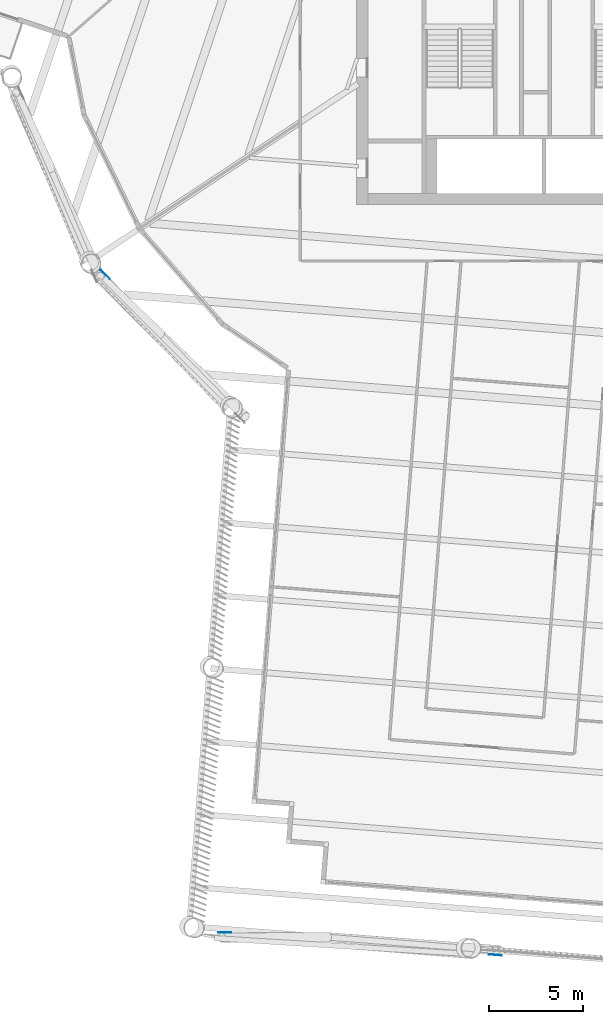
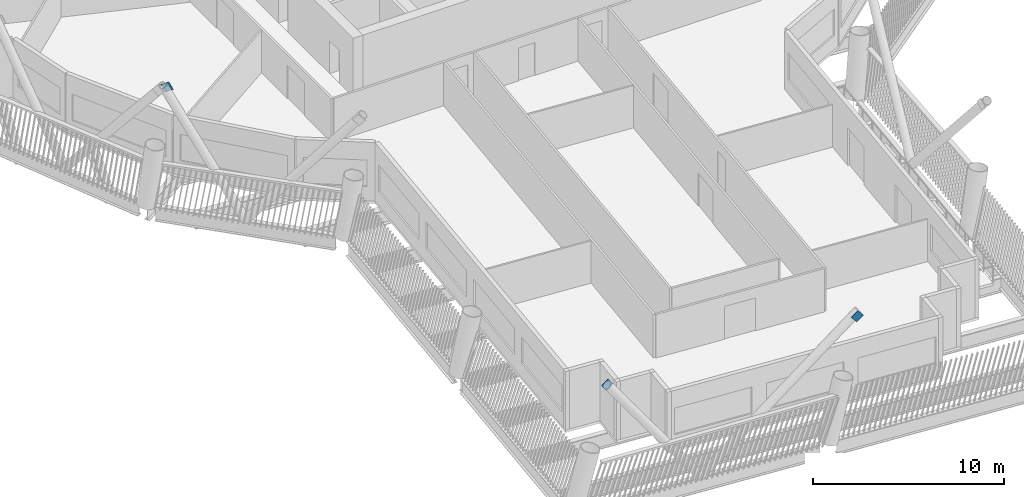
# One storey, part 10 of 21: 3 discrete accessories.
"""IFC4 building model written with IfcOpenShell, lengths in metres."""

from ifc_helpers import new_model, si_unit, direction, frame, origin, origin_2d, place, context, subcontext, project, spatial, rectangle, extrude, material, material_profile, profile_set, type_object, element, save


model = new_model("IFC4")

# Units and contexts
model_context = context("Model", 3, precision=1e-05, world=origin(), true_north=direction((0.0, 1.0)))
body_context = subcontext(model_context, "Body", "Model", "MODEL_VIEW")
ifc_project = project(units=[si_unit("LENGTHUNIT", "METRE"), si_unit("AREAUNIT", "SQUARE_METRE"), si_unit("VOLUMEUNIT", "CUBIC_METRE"), si_unit("PLANEANGLEUNIT", "RADIAN"), si_unit("MASSUNIT", "GRAM", prefix="KILO")], contexts=[model_context])

# Site, building, storey
site_placement = place(None, origin())
site = spatial("IfcSite", under=ifc_project, at=site_placement, CompositionType="ELEMENT")
building_placement = place(site_placement, origin())
building = spatial("IfcBuilding", under=site, at=building_placement, Name="Tarsis Ring Headquarters", CompositionType="ELEMENT")
storey_placement = place(building_placement, frame((0.0, 0.0, 208.199951171875)))
storey = spatial("IfcBuildingStorey", under=building, at=storey_placement, Name="L48", CompositionType="ELEMENT", Elevation=208.199951171875)

# Discrete accessories
ifc_material = material(Name="Structural steel S355", Category="steel")
ifc_material_profile = material_profile(ifc_material, rectangle(XDim=0.02490234375, YDim=0.5, at=origin_2d()), Name="PL 25x500")
ifc_profile_set = profile_set([ifc_material_profile], Name="Structural steel S355")
discrete_accessory_type = type_object("IfcDiscreteAccessoryType", Name="Gusset plate Exo brace 25", PredefinedType="BRACKET", material=ifc_profile_set)
for number, where, z_axis, x_axis, name in (
    (1, (-23.494140625, -16.634521484375, 7.800048828125), (0.356907258339, -0.341283411188, -0.869564742956), (0.69111039479, 0.722749211147, 0.0), "Gusset plate GP5"),
    (2, (-2.415283203125, -53.011474609375, 7.800048828125), (-0.759613058629, 0.057605617557, -0.647819105913), (-0.075618346024, -0.997136834013, 0.0), "Gusset plate GP5"),
    (3, (-17.180908203125, -51.807861328125, 7.800048828125), (0.586077108568, 0.002441987952, -0.810251602595), (-0.004166630498, 0.999991319557, 0.0), "Gusset plate GP5"),
):
    element("IfcDiscreteAccessory", number, at=place(storey_placement, frame(where, z_axis=z_axis, x_axis=x_axis)), inside=storey, type_object=discrete_accessory_type, Name=name, PredefinedType="BRACKET", context=body_context, shape_type="SweptSolid", body=[
        extrude(rectangle(XDim=0.02490234375, YDim=0.5, at=origin_2d()), origin(), (0.0, 0.0, 1.0), 0.5),
    ])

save(model, "model.ifc")
